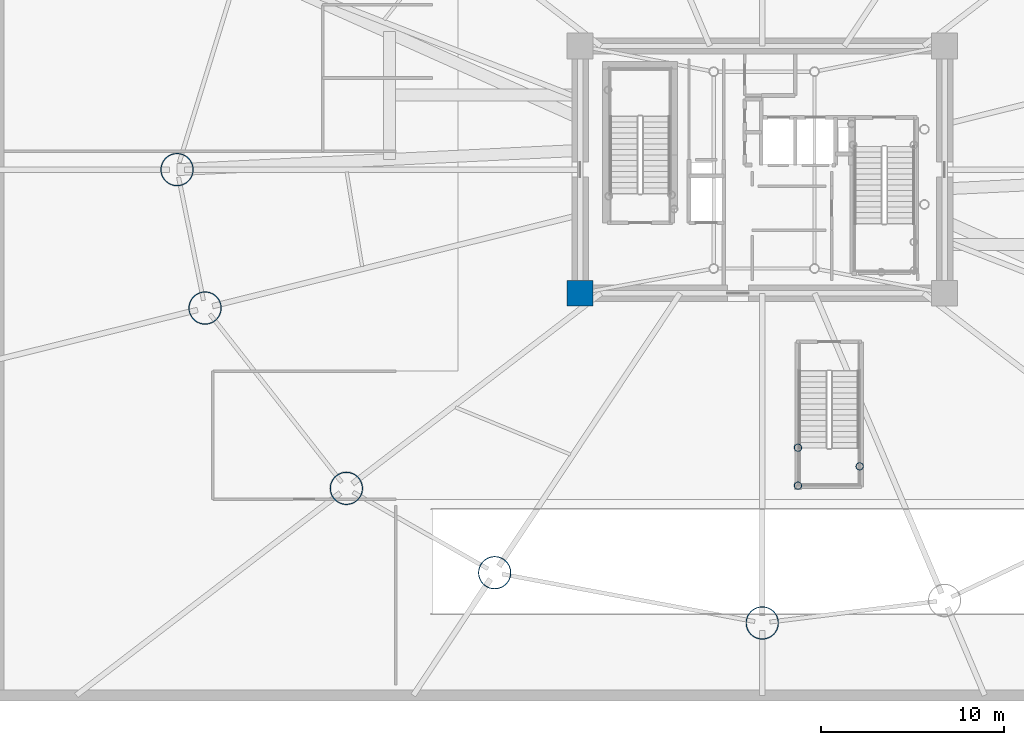
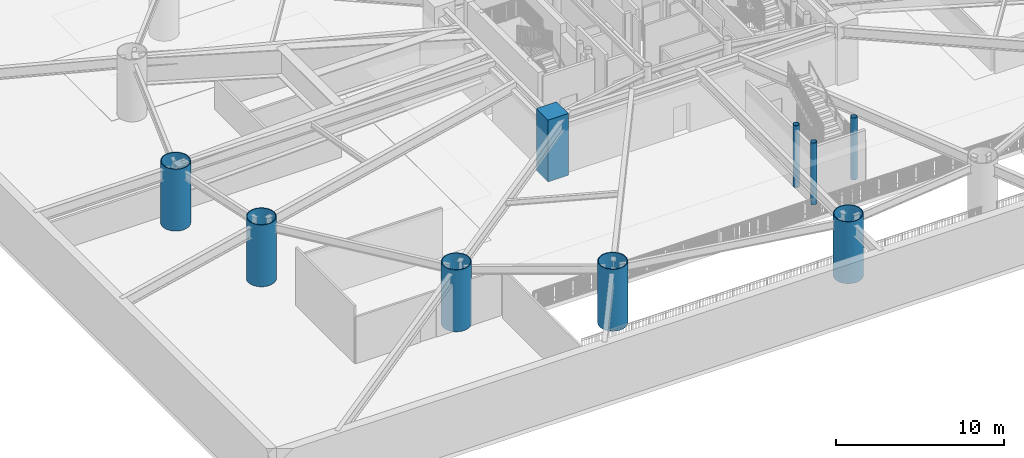
# One storey, part 1 of 21: 9 columns.
"""IFC4 building model written with IfcOpenShell, lengths in metres."""

from ifc_helpers import new_model, si_unit, direction, frame, origin, origin_2d, place, context, subcontext, project, spatial, rectangle, hollow_circle, extrude, material, material_profile, profile_set, type_object, element, save


model = new_model("IFC4")

# Units and contexts
model_context = context("Model", 3, precision=1e-05, world=origin(), true_north=direction((0.0, 1.0)))
body_context = subcontext(model_context, "Body", "Model", "MODEL_VIEW")
ifc_project = project(units=[si_unit("LENGTHUNIT", "METRE"), si_unit("AREAUNIT", "SQUARE_METRE"), si_unit("VOLUMEUNIT", "CUBIC_METRE"), si_unit("PLANEANGLEUNIT", "RADIAN"), si_unit("MASSUNIT", "GRAM", prefix="KILO")], contexts=[model_context])

# Site, building, storey
site_placement = place(None, origin())
site = spatial("IfcSite", under=ifc_project, at=site_placement, CompositionType="ELEMENT")
building_placement = place(site_placement, origin())
building = spatial("IfcBuilding", under=site, at=building_placement, Name="Linh Dai School and Residence Tower", CompositionType="ELEMENT")
storey_placement = place(building_placement, frame((0.0, 0.0, -4.5)))
storey = spatial("IfcBuildingStorey", under=building, at=storey_placement, Name="B01", CompositionType="ELEMENT", Elevation=-4.5)

# Columns
ifc_material_1 = material(Name="Concrete B60 (C50/60)", Category="concrete")
ifc_material_profile_1 = material_profile(ifc_material_1, rectangle(XDim=1.39990234375, YDim=1.39990234375, at=origin_2d()), Name="RC 1400x1400")
ifc_profile_set_1 = profile_set([ifc_material_profile_1], Name="Concrete B60 (C50/60)")
column_type_1 = type_object("IfcColumnType", Name="COL-CC1", PredefinedType="COLUMN", material=ifc_profile_set_1)
column_placement = place(storey_placement, frame((26.050048828125, 20.25, 0.0), z_axis=(0.0, 0.0, 1.0), x_axis=(1.0, 0.0, 0.0)))
element("IfcColumn", 1, at=column_placement, inside=storey, type_object=column_type_1, Name="B01 Core Corner Pier CC1", PredefinedType="COLUMN", context=body_context, shape_type="SweptSolid", body=[
    extrude(rectangle(XDim=1.39990234375, YDim=1.39990234375, at=origin_2d()), origin(), (0.0, 0.0, 1.0), 4.5),
])
ifc_material_2 = material(Name="Structural Steel S355JR", Category="steel")
ifc_material_profile_2 = material_profile(ifc_material_2, hollow_circle(Radius=0.203125, WallThickness=0.01611328125, at=origin_2d()), Name="CHS 406.4x16")
ifc_profile_set_2 = profile_set([ifc_material_profile_2], Name="Structural Steel S355JR")
column_type_2 = type_object("IfcColumnType", Name="COL-EC", PredefinedType="COLUMN", material=ifc_profile_set_2)
for number, where, z_axis, x_axis, name in (
    (2, (37.949951171875, 9.75, 0.0), (0.0, 0.0, 1.0), (1.0, 0.0, 0.0), "B01 Stair Shaft Landing Support Pier STB1SW"),
    (3, (37.949951171875, 11.820068359375, 0.0), (0.0, 0.0, 1.0), (1.0, 0.0, 0.0), "B01 Stair Shaft Landing Support Pier STB1NW"),
    (4, (41.320068359375, 10.800048828125, 0.0), (0.0, 0.0, 1.0), (1.0, 0.0, 0.0), "B01 Stair Shaft Landing Support Pier STB1ME"),
):
    element("IfcColumn", number, at=place(storey_placement, frame(where, z_axis=z_axis, x_axis=x_axis)), inside=storey, type_object=column_type_2, Name=name, PredefinedType="COLUMN", context=body_context, shape_type="SweptSolid", body=[
        extrude(hollow_circle(Radius=0.203125, WallThickness=0.01611328125, at=origin_2d()), origin(), (0.0, 0.0, 1.0), 4.5),
    ])
ifc_material_profile_3 = material_profile(ifc_material_2, hollow_circle(Radius=0.89990234375, WallThickness=0.050048828125, at=origin_2d()), Name="CHS 1800x50")
ifc_profile_set_3 = profile_set([ifc_material_profile_3], Name="Structural Steel S355JR")
column_type_3 = type_object("IfcColumnType", Name="COL-MC1", PredefinedType="COLUMN", material=ifc_profile_set_3)
for number, where, z_axis, x_axis, name in (
    (5, (4.050048828125, 27.0, 0.0), (0.0, 0.0, 1.0), (1.0, 0.0, 0.0), "B01 Perimeter CFT Mega-Column MC09"),
    (6, (5.57958984375, 19.444580078125, 0.0), (0.0, 0.0, 1.0), (1.0, 0.0, 0.0), "B01 Perimeter CFT Mega-Column MC10"),
    (7, (13.294677734375, 9.599365234375, 0.0), (0.0, 0.0, 1.0), (1.0, 0.0, 0.0), "B01 Perimeter CFT Mega-Column MC11"),
    (8, (21.390869140625, 4.994873046875, 0.0), (0.0, 0.0, 1.0), (1.0, 0.0, 0.0), "B01 Perimeter CFT Mega-Column MC12"),
    (9, (36.0, 2.25, 0.0), (0.0, 0.0, 1.0), (1.0, 0.0, 0.0), "B01 Perimeter CFT Mega-Column MC13"),
):
    element("IfcColumn", number, at=place(storey_placement, frame(where, z_axis=z_axis, x_axis=x_axis)), inside=storey, type_object=column_type_3, Name=name, PredefinedType="COLUMN", context=body_context, shape_type="SweptSolid", body=[
        extrude(hollow_circle(Radius=0.89990234375, WallThickness=0.050048828125, at=origin_2d()), origin(), (0.0, 0.0, 1.0), 4.5),
    ])

save(model, "model.ifc")
